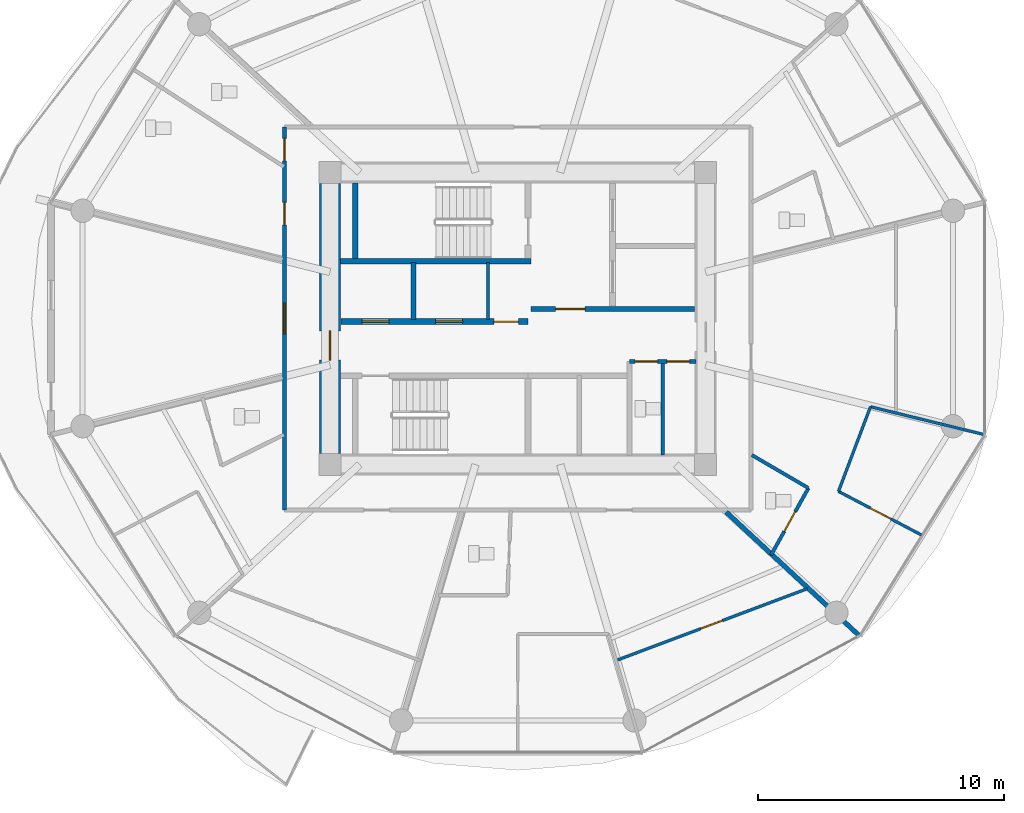
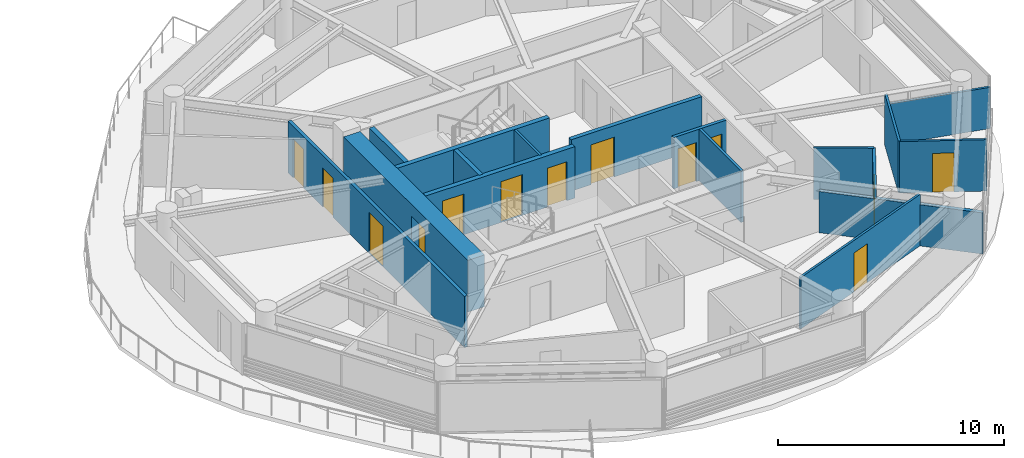
# One storey, part 19 of 26: 17 walls, 13 doors, 13 openings.
"""IFC4 building model written with IfcOpenShell, lengths in metres."""

from ifc_helpers import new_model, si_unit, direction, frame, frame_2d, origin, place, context, subcontext, project, spatial, rectangle, extrude, source, transform, mapped, material, layer, layer_set, type_object, type_shapes, element, fill, save


model = new_model("IFC4")

# Units and contexts
model_context = context("Model", 3, precision=1e-05, world=origin(), true_north=direction((0.0, 1.0)))
body_context = subcontext(model_context, "Body", "Model", "MODEL_VIEW")
ifc_project = project(units=[si_unit("LENGTHUNIT", "METRE"), si_unit("AREAUNIT", "SQUARE_METRE"), si_unit("VOLUMEUNIT", "CUBIC_METRE"), si_unit("PLANEANGLEUNIT", "RADIAN"), si_unit("MASSUNIT", "GRAM", prefix="KILO")], contexts=[model_context])

# Site, building, storey
site_placement = place(None, origin())
site = spatial("IfcSite", under=ifc_project, at=site_placement, CompositionType="ELEMENT")
building_placement = place(site_placement, origin())
building = spatial("IfcBuilding", under=site, at=building_placement, Name="Norrkilde Senior Care Towers", CompositionType="ELEMENT")
storey_placement = place(building_placement, frame((0.0, 0.0, 67.35009765625)))
storey = spatial("IfcBuildingStorey", under=building, at=storey_placement, Name="L20", CompositionType="ELEMENT", Elevation=67.35009765625)

# Wall, opening, door
ifc_material_1 = material(Name="Concrete C60/75", Category="concrete")
ifc_layer_1 = layer(ifc_material_1, 0.85009765625)
ifc_layer_set_1 = layer_set([ifc_layer_1], Name="Concrete C60/75")
wall_type_1 = type_object("IfcWallType", Name="Core Shear Wall Z1 850", PredefinedType="SHEAR", material=ifc_layer_set_1)
shared_shape_1 = source(origin(), body_context, "Body", "SweptSolid", [
    extrude(rectangle(XDim=11.0, YDim=0.85009765625, at=frame_2d((5.5, 0.0))), origin(), (0.0, 0.0, 1.0), 2.789794921875),
])
type_shapes(wall_type_1, [shared_shape_1])
wall_1_placement = place(storey_placement, frame((20.35009765625, -5.5, 0.0), z_axis=(0.0, 0.0, 1.0), x_axis=(0.0, 1.0, 0.0)))
wall_1 = element("IfcWall", 1, at=wall_1_placement, inside=storey, type_object=wall_type_1, Name="L20 Core E West Shear Wall", PredefinedType="SHEAR", context=body_context, shape_type="MappedRepresentation", body=[
    mapped(shared_shape_1, transform((0.0, 0.0, 0.0), x_axis=(1.0, 0.0, 0.0), y_axis=(0.0, 1.0, 0.0), z_axis=(0.0, 0.0, 1.0), scale=1.0)),
])
opening_1_placement = place(wall_1_placement, frame((3.800048828125, 0.0, 0.0)))
opening_1 = element("IfcOpeningElement", 2, at=opening_1_placement, cuts=wall_1, Name="Opening D-04", PredefinedType="OPENING", context=body_context, shape_type="SweptSolid", body=[
    extrude(rectangle(XDim=1.199951171875, YDim=2.14990234375, at=frame_2d((0.60009765625, 1.074951171875))), frame((0.0, 0.43505859375, 0.0), z_axis=(0.0, -1.0, 0.0), x_axis=(1.0, 0.0, 0.0)), (0.0, 0.0, 1.0), 0.8701171875),
])
ifc_material_2 = material(Name="Galvanised Painted Steel", Category="steel")
door_type_1 = type_object("IfcDoorType", Name="Firefighting Lobby Fire Door 1200x2150", OperationType="NOTDEFINED", PredefinedType="DOOR", material=ifc_material_2)
shared_shape_2 = source(origin(), body_context, "Body", "SweptSolid", [
    extrude(rectangle(XDim=1.199951171875, YDim=2.14990234375, at=frame_2d((0.60009765625, 1.074951171875))), frame((0.0, 0.02490234375, 0.0), z_axis=(0.0, -1.0, 0.0), x_axis=(1.0, 0.0, 0.0)), (0.0, 0.0, 1.0), 0.050048828125),
])
type_shapes(door_type_1, [shared_shape_2])
door_1_placement = place(opening_1_placement, frame((1.199951171875, 0.0, 0.0), z_axis=(0.0, 0.0, 1.0), x_axis=(-1.0, 0.0, 0.0)))
door_1 = element("IfcDoor", 3, at=door_1_placement, inside=storey, type_object=door_type_1, Name="L20 Core E West Portal Door", OperationType="SINGLE_SWING_LEFT", OverallHeight=2.14990234375, OverallWidth=1.199951171875, PredefinedType="DOOR", context=body_context, shape_type="MappedRepresentation", body=[
    mapped(shared_shape_2, transform((0.0, 0.0, 0.0), x_axis=(1.0, 0.0, 0.0), y_axis=(0.0, 1.0, 0.0), z_axis=(0.0, 0.0, 1.0), scale=1.0)),
])
fill(opening_1, door_1)

# Walls
ifc_material_3 = material(Name="Concrete C45/55", Category="concrete")
ifc_layer_2 = layer(ifc_material_3, 0.239990234375)
ifc_layer_set_2 = layer_set([ifc_layer_2], Name="Concrete C45/55")
wall_type_2 = type_object("IfcWallType", Name="Shaft and Stair Enclosure Wall 240", PredefinedType="PARTITIONING", material=ifc_layer_set_2)
shared_shape_3 = source(origin(), body_context, "Body", "SweptSolid", [
    extrude(rectangle(XDim=7.76513671875, YDim=0.239990234375, at=frame_2d((3.882568359375, 0.0))), origin(), (0.0, 0.0, 1.0), 2.789794921875),
])
wall_2_placement = place(storey_placement, frame((20.77490234375, 2.330078125, 0.0), z_axis=(0.0, 0.0, 1.0), x_axis=(1.0, 0.0, 0.0)))
element("IfcWall", 4, at=wall_2_placement, inside=storey, type_object=wall_type_2, Name="WL-INT-L20-E-ST1S", PredefinedType="PARTITIONING", context=body_context, shape_type="MappedRepresentation", body=[
    mapped(shared_shape_3, transform((0.0, 0.0, 0.0), x_axis=(1.0, 0.0, 0.0), y_axis=(0.0, 1.0, 0.0), z_axis=(0.0, 0.0, 1.0), scale=1.0)),
])
shared_shape_4 = source(origin(), body_context, "Body", "SweptSolid", [
    extrude(rectangle(XDim=3.074951171875, YDim=0.239990234375, at=frame_2d((1.53759765625, 0.0))), origin(), (0.0, 0.0, 1.0), 2.789794921875),
])
type_shapes(wall_type_2, [shared_shape_3, shared_shape_4])
wall_3_placement = place(storey_placement, frame((21.3798828125, 2.449951171875, 0.0), z_axis=(0.0, 0.0, 1.0), x_axis=(0.0, 1.0, 0.0)))
element("IfcWall", 5, at=wall_3_placement, inside=storey, type_object=wall_type_2, Name="WL-INT-L20-E-ST1W", PredefinedType="PARTITIONING", context=body_context, shape_type="MappedRepresentation", body=[
    mapped(shared_shape_4, transform((0.0, 0.0, 0.0), x_axis=(1.0, 0.0, 0.0), y_axis=(0.0, 1.0, 0.0), z_axis=(0.0, 0.0, 1.0), scale=1.0)),
])

# Wall, opening, door
ifc_layer_3 = layer(ifc_material_3, 0.2099609375)
ifc_layer_set_3 = layer_set([ifc_layer_3], Name="Concrete C45/55")
wall_type_3 = type_object("IfcWallType", Name="Firefighting Lobby Wall 210", PredefinedType="PARTITIONING", material=ifc_layer_set_3)
shared_shape_5 = source(origin(), body_context, "Body", "SweptSolid", [
    extrude(rectangle(XDim=6.659912109375, YDim=0.2099609375, at=frame_2d((3.330078125, 0.0))), origin(), (0.0, 0.0, 1.0), 2.77490234375),
])
type_shapes(wall_type_3, [shared_shape_5])
wall_4_placement = place(storey_placement, frame((28.5400390625, 0.389892578125, 0.0), z_axis=(0.0, 0.0, 1.0), x_axis=(1.0, 0.0, 0.0)))
wall_4 = element("IfcWall", 6, at=wall_4_placement, inside=storey, type_object=wall_type_3, Name="WL-INT-L20-E-FFLS", PredefinedType="PARTITIONING", context=body_context, shape_type="MappedRepresentation", body=[
    mapped(shared_shape_5, transform((0.0, 0.0, 0.0), x_axis=(1.0, 0.0, 0.0), y_axis=(0.0, 1.0, 0.0), z_axis=(0.0, 0.0, 1.0), scale=1.0)),
])
opening_2_placement = place(wall_4_placement, frame((1.0, 0.0, 0.0)))
opening_2 = element("IfcOpeningElement", 7, at=opening_2_placement, cuts=wall_4, Name="Opening D-04", PredefinedType="OPENING", context=body_context, shape_type="SweptSolid", body=[
    extrude(rectangle(XDim=1.199951171875, YDim=2.14990234375, at=frame_2d((0.60009765625, 1.074951171875))), frame((0.0, 0.114990234375, 0.0), z_axis=(0.0, -1.0, 0.0), x_axis=(1.0, 0.0, 0.0)), (0.0, 0.0, 1.0), 0.22998046875),
])
door_2_placement = place(opening_2_placement, frame((1.199951171875, 0.0, 0.0), z_axis=(0.0, 0.0, 1.0), x_axis=(-1.0, 0.0, 0.0)))
door_2 = element("IfcDoor", 8, at=door_2_placement, inside=storey, type_object=door_type_1, Name="L20 Firefighting Lobby E Door", OperationType="SINGLE_SWING_LEFT", OverallHeight=2.14990234375, OverallWidth=1.199951171875, PredefinedType="DOOR", context=body_context, shape_type="MappedRepresentation", body=[
    mapped(shared_shape_2, transform((0.0, 0.0, 0.0), x_axis=(1.0, 0.0, 0.0), y_axis=(0.0, 1.0, 0.0), z_axis=(0.0, 0.0, 1.0), scale=1.0)),
])
fill(opening_2, door_2)

# Wall, openings, doors
ifc_layer_4 = layer(ifc_material_3, 0.239990234375)
ifc_layer_set_4 = layer_set([ifc_layer_4], Name="Concrete C45/55")
wall_type_4 = type_object("IfcWallType", Name="Lift and Plant Rated Enclosure Partition 240", PredefinedType="PARTITIONING", material=ifc_layer_set_4)
shared_shape_6 = source(origin(), body_context, "Body", "SweptSolid", [
    extrude(rectangle(XDim=7.619873046875, YDim=0.239990234375, at=frame_2d((3.81005859375, 0.0))), origin(), (0.0, 0.0, 1.0), 2.77490234375),
])
type_shapes(wall_type_4, [shared_shape_6])
wall_5_placement = place(storey_placement, frame((20.800048828125, -0.1298828125, 0.0), z_axis=(0.0, 0.0, 1.0), x_axis=(1.0, 0.0, 0.0)))
wall_5 = element("IfcWall", 9, at=wall_5_placement, inside=storey, type_object=wall_type_4, Name="WL-INT-L20-E-PKAS", PredefinedType="PARTITIONING", context=body_context, shape_type="MappedRepresentation", body=[
    mapped(shared_shape_6, transform((0.0, 0.0, 0.0), x_axis=(1.0, 0.0, 0.0), y_axis=(0.0, 1.0, 0.0), z_axis=(0.0, 0.0, 1.0), scale=1.0)),
])
opening_3_placement = place(wall_5_placement, frame((6.219970703125, 0.0, 0.0)))
opening_3 = element("IfcOpeningElement", 10, at=opening_3_placement, cuts=wall_5, Name="Opening D-10", PredefinedType="OPENING", context=body_context, shape_type="SweptSolid", body=[
    extrude(rectangle(XDim=1.0, YDim=2.10009765625, at=frame_2d((0.5, 1.050048828125))), frame((0.0, 0.1298828125, 0.0), z_axis=(0.0, -1.0, 0.0), x_axis=(1.0, 0.0, 0.0)), (0.0, 0.0, 1.0), 0.260009765625),
])
opening_4_placement = place(wall_5_placement, frame((0.85009765625, 0.0, 0.0)))
opening_4 = element("IfcOpeningElement", 11, at=opening_4_placement, cuts=wall_5, Name="Opening LD-01", PredefinedType="OPENING", context=body_context, shape_type="SweptSolid", body=[
    extrude(rectangle(XDim=1.10009765625, YDim=2.199951171875, at=frame_2d((0.550048828125, 1.10009765625))), frame((0.0, 0.1298828125, 0.0), z_axis=(0.0, -1.0, 0.0), x_axis=(1.0, 0.0, 0.0)), (0.0, 0.0, 1.0), 0.260009765625),
])
opening_5_placement = place(wall_5_placement, frame((3.85009765625, 0.0, 0.0)))
opening_5 = element("IfcOpeningElement", 12, at=opening_5_placement, cuts=wall_5, Name="Opening LD-01", PredefinedType="OPENING", context=body_context, shape_type="SweptSolid", body=[
    extrude(rectangle(XDim=1.10009765625, YDim=2.199951171875, at=frame_2d((0.550048828125, 1.10009765625))), frame((0.0, 0.1298828125, 0.0), z_axis=(0.0, -1.0, 0.0), x_axis=(1.0, 0.0, 0.0)), (0.0, 0.0, 1.0), 0.260009765625),
])
door_type_2 = type_object("IfcDoorType", Name="Plant and Riser Rated Door 1000x2100", OperationType="NOTDEFINED", PredefinedType="DOOR", material=ifc_material_2)
shared_shape_7 = source(origin(), body_context, "Body", "SweptSolid", [
    extrude(rectangle(XDim=1.0, YDim=2.10009765625, at=frame_2d((0.5, 1.050048828125))), frame((0.0, 0.02490234375, 0.0), z_axis=(0.0, -1.0, 0.0), x_axis=(1.0, 0.0, 0.0)), (0.0, 0.0, 1.0), 0.050048828125),
])
type_shapes(door_type_2, [shared_shape_7])
door_3_placement = place(opening_3_placement, frame((1.0, 0.0, 0.0), z_axis=(0.0, 0.0, 1.0), x_axis=(-1.0, 0.0, 0.0)))
door_3 = element("IfcDoor", 13, at=door_3_placement, inside=storey, type_object=door_type_2, Name="L20 Electrical Riser E Door", OperationType="SINGLE_SWING_LEFT", OverallHeight=2.10009765625, OverallWidth=1.0, PredefinedType="DOOR", context=body_context, shape_type="MappedRepresentation", body=[
    mapped(shared_shape_7, transform((0.0, 0.0, 0.0), x_axis=(1.0, 0.0, 0.0), y_axis=(0.0, 1.0, 0.0), z_axis=(0.0, 0.0, 1.0), scale=1.0)),
])
fill(opening_3, door_3)
ifc_material_4 = material(Name="Stainless Steel", Category="steel")
door_type_3 = type_object("IfcDoorType", Name="Lift Landing Sliding Door 1100x2200", OperationType="NOTDEFINED", PredefinedType="DOOR", material=ifc_material_4)
shared_shape_8 = source(origin(), body_context, "Body", "SweptSolid", [
    extrude(rectangle(XDim=1.10009765625, YDim=2.199951171875, at=frame_2d((0.550048828125, 1.10009765625))), frame((0.0, 0.02490234375, 0.0), z_axis=(0.0, -1.0, 0.0), x_axis=(1.0, 0.0, 0.0)), (0.0, 0.0, 1.0), 0.050048828125),
])
type_shapes(door_type_3, [shared_shape_8])
door_4_placement = place(opening_4_placement, origin())
door_4 = element("IfcDoor", 14, at=door_4_placement, inside=storey, type_object=door_type_3, Name="L20 Passenger Lift E1 Landing Door", OperationType="SLIDING_TO_LEFT", OverallHeight=2.199951171875, OverallWidth=1.10009765625, PredefinedType="DOOR", context=body_context, shape_type="MappedRepresentation", body=[
    mapped(shared_shape_8, transform((0.0, 0.0, 0.0), x_axis=(1.0, 0.0, 0.0), y_axis=(0.0, 1.0, 0.0), z_axis=(0.0, 0.0, 1.0), scale=1.0)),
])
fill(opening_4, door_4)
door_5_placement = place(opening_5_placement, origin())
door_5 = element("IfcDoor", 15, at=door_5_placement, inside=storey, type_object=door_type_3, Name="L20 Passenger Lift E2 Landing Door", OperationType="SLIDING_TO_RIGHT", OverallHeight=2.199951171875, OverallWidth=1.10009765625, PredefinedType="DOOR", context=body_context, shape_type="MappedRepresentation", body=[
    mapped(shared_shape_8, transform((0.0, 0.0, 0.0), x_axis=(1.0, 0.0, 0.0), y_axis=(0.0, 1.0, 0.0), z_axis=(0.0, 0.0, 1.0), scale=1.0)),
])
fill(opening_5, door_5)

# Walls
ifc_material_5 = material(Name="Gypsum Acoustic Board")
ifc_layer_5 = layer(ifc_material_5, 0.114990234375)
ifc_layer_set_5 = layer_set([ifc_layer_5], Name="Gypsum Acoustic Board")
wall_type_5 = type_object("IfcWallType", Name="Internal Room Partition 115", PredefinedType="PARTITIONING", material=ifc_layer_set_5)
shared_shape_9 = source(origin(), body_context, "Body", "SweptSolid", [
    extrude(rectangle(XDim=2.330078125, YDim=0.114990234375, at=frame_2d((1.1650390625, 0.0))), origin(), (0.0, 0.0, 1.0), 2.77490234375),
])
wall_6_placement = place(storey_placement, frame((26.7900390625, -0.050048828125, 0.0), z_axis=(0.0, 0.0, 1.0), x_axis=(0.0, 1.0, 0.0)))
element("IfcWall", 16, at=wall_6_placement, inside=storey, type_object=wall_type_5, Name="WL-INT-L20-E-RISW", PredefinedType="PARTITIONING", context=body_context, shape_type="MappedRepresentation", body=[
    mapped(shared_shape_9, transform((0.0, 0.0, 0.0), x_axis=(1.0, 0.0, 0.0), y_axis=(0.0, 1.0, 0.0), z_axis=(0.0, 0.0, 1.0), scale=1.0)),
])
ifc_layer_6 = layer(ifc_material_3, 0.199951171875)
ifc_layer_set_6 = layer_set([ifc_layer_6], Name="Concrete C45/55")
wall_type_6 = type_object("IfcWallType", Name="Shaft Division and Plant Partition 200", PredefinedType="PARTITIONING", material=ifc_layer_set_6)
shared_shape_10 = source(origin(), body_context, "Body", "SweptSolid", [
    extrude(rectangle(XDim=2.330078125, YDim=0.199951171875, at=frame_2d((1.1650390625, 0.0))), origin(), (0.0, 0.0, 1.0), 2.77490234375),
])
type_shapes(wall_type_6, [shared_shape_10])
wall_7_placement = place(storey_placement, frame((23.75, -0.050048828125, 0.0), z_axis=(0.0, 0.0, 1.0), x_axis=(0.0, 1.0, 0.0)))
element("IfcWall", 17, at=wall_7_placement, inside=storey, type_object=wall_type_6, Name="WL-INT-L20-E-PL12", PredefinedType="PARTITIONING", context=body_context, shape_type="MappedRepresentation", body=[
    mapped(shared_shape_10, transform((0.0, 0.0, 0.0), x_axis=(1.0, 0.0, 0.0), y_axis=(0.0, 1.0, 0.0), z_axis=(0.0, 0.0, 1.0), scale=1.0)),
])

# Wall, openings, doors
ifc_layer_7 = layer(ifc_material_5, 0.1650390625)
ifc_layer_set_7 = layer_set([ifc_layer_7], Name="Gypsum Acoustic Board")
wall_type_7 = type_object("IfcWallType", Name="Corridor Rated Partition 165", PredefinedType="PARTITIONING", material=ifc_layer_set_7)
shared_shape_11 = source(origin(), body_context, "Body", "SweptSolid", [
    extrude(rectangle(XDim=2.699951171875, YDim=0.1650390625, at=frame_2d((1.35009765625, 0.0))), origin(), (0.0, 0.0, 1.0), 2.77490234375),
])
wall_8_placement = place(storey_placement, frame((32.550048828125, -1.75, 0.0), z_axis=(0.0, 0.0, 1.0), x_axis=(1.0, 0.0, 0.0)))
wall_8 = element("IfcWall", 18, at=wall_8_placement, inside=storey, type_object=wall_type_7, Name="WL-INT-L20-E-CSN", PredefinedType="PARTITIONING", context=body_context, shape_type="MappedRepresentation", body=[
    mapped(shared_shape_11, transform((0.0, 0.0, 0.0), x_axis=(1.0, 0.0, 0.0), y_axis=(0.0, 1.0, 0.0), z_axis=(0.0, 0.0, 1.0), scale=1.0)),
])
opening_6_placement = place(wall_8_placement, frame((0.222412109375, 0.0, 0.0)))
opening_6 = element("IfcOpeningElement", 19, at=opening_6_placement, cuts=wall_8, Name="Opening D-12", PredefinedType="OPENING", context=body_context, shape_type="SweptSolid", body=[
    extrude(rectangle(XDim=0.925048828125, YDim=2.10009765625, at=frame_2d((0.46240234375, 1.050048828125))), frame((0.0, 0.092529296875, 0.0), z_axis=(0.0, -1.0, 0.0), x_axis=(1.0, 0.0, 0.0)), (0.0, 0.0, 1.0), 0.18505859375),
])
opening_7_placement = place(wall_8_placement, frame((1.5224609375, 0.0, 0.0)))
opening_7 = element("IfcOpeningElement", 20, at=opening_7_placement, cuts=wall_8, Name="Opening D-12", PredefinedType="OPENING", context=body_context, shape_type="SweptSolid", body=[
    extrude(rectangle(XDim=0.925048828125, YDim=2.10009765625, at=frame_2d((0.46240234375, 1.050048828125))), frame((0.0, 0.092529296875, 0.0), z_axis=(0.0, -1.0, 0.0), x_axis=(1.0, 0.0, 0.0)), (0.0, 0.0, 1.0), 0.18505859375),
])
door_type_4 = type_object("IfcDoorType", Name="Core Wet Room Rated Door 925x2100", OperationType="NOTDEFINED", PredefinedType="DOOR", material=ifc_material_2)
shared_shape_12 = source(origin(), body_context, "Body", "SweptSolid", [
    extrude(rectangle(XDim=0.925048828125, YDim=2.10009765625, at=frame_2d((0.46240234375, 1.050048828125))), frame((0.0, 0.02490234375, 0.0), z_axis=(0.0, -1.0, 0.0), x_axis=(1.0, 0.0, 0.0)), (0.0, 0.0, 1.0), 0.050048828125),
])
type_shapes(door_type_4, [shared_shape_12])
door_6_placement = place(opening_6_placement, origin())
door_6 = element("IfcDoor", 21, at=door_6_placement, inside=storey, type_object=door_type_4, Name="L20 Staff Accessible WC E Door", OperationType="SINGLE_SWING_LEFT", OverallHeight=2.10009765625, OverallWidth=0.925048828125, PredefinedType="DOOR", context=body_context, shape_type="MappedRepresentation", body=[
    mapped(shared_shape_12, transform((0.0, 0.0, 0.0), x_axis=(1.0, 0.0, 0.0), y_axis=(0.0, 1.0, 0.0), z_axis=(0.0, 0.0, 1.0), scale=1.0)),
])
fill(opening_6, door_6)
door_7_placement = place(opening_7_placement, origin())
door_7 = element("IfcDoor", 22, at=door_7_placement, inside=storey, type_object=door_type_4, Name="L20 Housekeeping Store E Door", OperationType="SINGLE_SWING_RIGHT", OverallHeight=2.10009765625, OverallWidth=0.925048828125, PredefinedType="DOOR", context=body_context, shape_type="MappedRepresentation", body=[
    mapped(shared_shape_12, transform((0.0, 0.0, 0.0), x_axis=(1.0, 0.0, 0.0), y_axis=(0.0, 1.0, 0.0), z_axis=(0.0, 0.0, 1.0), scale=1.0)),
])
fill(opening_7, door_7)

shared_shape_13 = source(origin(), body_context, "Body", "SweptSolid", [
    extrude(rectangle(XDim=15.60009765625, YDim=0.1650390625, at=frame_2d((7.800048828125, 0.0))), origin(), (0.0, 0.0, 1.0), 2.77490234375),
])
type_shapes(wall_type_7, [shared_shape_11, shared_shape_13])
wall_9_placement = place(storey_placement, frame((18.5, -7.800048828125, 0.0), z_axis=(0.0, 0.0, 1.0), x_axis=(0.0, 1.0, 0.0)))
wall_9 = element("IfcWall", 23, at=wall_9_placement, inside=storey, type_object=wall_type_7, Name="WL-INT-L20-E-CRW-W-0", PredefinedType="PARTITIONING", context=body_context, shape_type="MappedRepresentation", body=[
    mapped(shared_shape_13, transform((0.0, 0.0, 0.0), x_axis=(1.0, 0.0, 0.0), y_axis=(0.0, 1.0, 0.0), z_axis=(0.0, 0.0, 1.0), scale=1.0)),
])
opening_8_placement = place(wall_9_placement, frame((14.214599609375, 0.0, 0.0)))
opening_8 = element("IfcOpeningElement", 24, at=opening_8_placement, cuts=wall_9, Name="Opening D-08", PredefinedType="OPENING", context=body_context, shape_type="SweptSolid", body=[
    extrude(rectangle(XDim=0.919921875, YDim=2.10009765625, at=frame_2d((0.4599609375, 1.050048828125))), frame((0.0, 0.092529296875, 0.0), z_axis=(0.0, -1.0, 0.0), x_axis=(1.0, 0.0, 0.0)), (0.0, 0.0, 1.0), 0.18505859375),
])
opening_9_placement = place(wall_9_placement, frame((11.609130859375, 0.0, 0.0)))
opening_9 = element("IfcOpeningElement", 25, at=opening_9_placement, cuts=wall_9, Name="Opening D-08", PredefinedType="OPENING", context=body_context, shape_type="SweptSolid", body=[
    extrude(rectangle(XDim=0.919921875, YDim=2.10009765625, at=frame_2d((0.4599609375, 1.050048828125))), frame((0.0, 0.092529296875, 0.0), z_axis=(0.0, -1.0, 0.0), x_axis=(1.0, 0.0, 0.0)), (0.0, 0.0, 1.0), 0.18505859375),
])
opening_10_placement = place(wall_9_placement, frame((7.175048828125, 0.0, 0.0)))
opening_10 = element("IfcOpeningElement", 26, at=opening_10_placement, cuts=wall_9, Name="Opening D-05", PredefinedType="OPENING", context=body_context, shape_type="SweptSolid", body=[
    extrude(rectangle(XDim=1.25, YDim=2.199951171875, at=frame_2d((0.625, 1.10009765625))), frame((0.0, 0.092529296875, 0.0), z_axis=(0.0, -1.0, 0.0), x_axis=(1.0, 0.0, 0.0)), (0.0, 0.0, 1.0), 0.18505859375),
])
ifc_material_6 = material(Name="Nordic Ash Timber", Category="wood")
door_type_5 = type_object("IfcDoorType", Name="Care Bedroom Bariatric Door 1250x2200", OperationType="NOTDEFINED", PredefinedType="DOOR", material=ifc_material_6)
shared_shape_14 = source(origin(), body_context, "Body", "SweptSolid", [
    extrude(rectangle(XDim=1.25, YDim=2.199951171875, at=frame_2d((0.625, 1.10009765625))), frame((0.0, 0.02490234375, 0.0), z_axis=(0.0, -1.0, 0.0), x_axis=(1.0, 0.0, 0.0)), (0.0, 0.0, 1.0), 0.050048828125),
])
type_shapes(door_type_5, [shared_shape_14])
door_8_placement = place(opening_10_placement, frame((1.25, 0.0, 0.0), z_axis=(0.0, 0.0, 1.0), x_axis=(-1.0, 0.0, 0.0)))
door_8 = element("IfcDoor", 27, at=door_8_placement, inside=storey, type_object=door_type_5, Name="L20 Senior Wellness Library Lounge Door", OperationType="SINGLE_SWING_RIGHT", OverallHeight=2.199951171875, OverallWidth=1.25, PredefinedType="DOOR", context=body_context, shape_type="MappedRepresentation", body=[
    mapped(shared_shape_14, transform((0.0, 0.0, 0.0), x_axis=(1.0, 0.0, 0.0), y_axis=(0.0, 1.0, 0.0), z_axis=(0.0, 0.0, 1.0), scale=1.0)),
])
fill(opening_10, door_8)
door_type_6 = type_object("IfcDoorType", Name="Accessible Wet Room Door 920x2100", OperationType="NOTDEFINED", PredefinedType="DOOR", material=ifc_material_6)
shared_shape_15 = source(origin(), body_context, "Body", "SweptSolid", [
    extrude(rectangle(XDim=0.919921875, YDim=2.10009765625, at=frame_2d((0.4599609375, 1.050048828125))), frame((0.0, 0.02490234375, 0.0), z_axis=(0.0, -1.0, 0.0), x_axis=(1.0, 0.0, 0.0)), (0.0, 0.0, 1.0), 0.050048828125),
])
type_shapes(door_type_6, [shared_shape_15])
door_9_placement = place(opening_8_placement, frame((0.919921875, 0.0, 0.0), z_axis=(0.0, 0.0, 1.0), x_axis=(-1.0, 0.0, 0.0)))
door_9 = element("IfcDoor", 28, at=door_9_placement, inside=storey, type_object=door_type_6, Name="L20 Accessible Restroom Door", OperationType="SINGLE_SWING_LEFT", OverallHeight=2.10009765625, OverallWidth=0.919921875, PredefinedType="DOOR", context=body_context, shape_type="MappedRepresentation", body=[
    mapped(shared_shape_15, transform((0.0, 0.0, 0.0), x_axis=(1.0, 0.0, 0.0), y_axis=(0.0, 1.0, 0.0), z_axis=(0.0, 0.0, 1.0), scale=1.0)),
])
fill(opening_8, door_9)
door_10_placement = place(opening_9_placement, frame((0.919921875, 0.0, 0.0), z_axis=(0.0, 0.0, 1.0), x_axis=(-1.0, 0.0, 0.0)))
door_10 = element("IfcDoor", 29, at=door_10_placement, inside=storey, type_object=door_type_6, Name="L20 Public Restroom Door", OperationType="SINGLE_SWING_RIGHT", OverallHeight=2.10009765625, OverallWidth=0.919921875, PredefinedType="DOOR", context=body_context, shape_type="MappedRepresentation", body=[
    mapped(shared_shape_15, transform((0.0, 0.0, 0.0), x_axis=(1.0, 0.0, 0.0), y_axis=(0.0, 1.0, 0.0), z_axis=(0.0, 0.0, 1.0), scale=1.0)),
])
fill(opening_9, door_10)

# Wall
ifc_layer_8 = layer(ifc_material_5, 0.18994140625)
ifc_layer_set_8 = layer_set([ifc_layer_8], Name="Gypsum Acoustic Board")
wall_type_8 = type_object("IfcWallType", Name="Unit Demising Acoustic Wall 190", PredefinedType="PARTITIONING", material=ifc_layer_set_8)
shared_shape_16 = source(origin(), body_context, "Body", "SweptSolid", [
    extrude(rectangle(XDim=7.4345703125, YDim=0.18994140625, at=frame_2d((3.71728515625, 0.0))), origin(), (0.0, 0.0, 1.0), 2.224853515625),
])
type_shapes(wall_type_8, [shared_shape_16])
wall_10_placement = place(storey_placement, frame((36.48291015625, -7.8798828125, 0.0), z_axis=(0.0, 0.0, 1.0), x_axis=(0.732651956848, -0.680603489652, 0.0)))
element("IfcWall", 30, at=wall_10_placement, inside=storey, type_object=wall_type_8, Name="WL-INT-L20-E-DEM-10-0", PredefinedType="PARTITIONING", context=body_context, shape_type="MappedRepresentation", body=[
    mapped(shared_shape_16, transform((0.0, 0.0, 0.0), x_axis=(1.0, 0.0, 0.0), y_axis=(0.0, 1.0, 0.0), z_axis=(0.0, 0.0, 1.0), scale=1.0)),
])

# Wall, opening, door
shared_shape_17 = source(origin(), body_context, "Body", "SweptSolid", [
    extrude(rectangle(XDim=8.31982421875, YDim=0.114990234375, at=frame_2d((4.159912109375, 0.0))), origin(), (0.0, 0.0, 1.0), 2.77490234375),
])
wall_11_placement = place(storey_placement, frame((31.997314453125, -13.93017578125, 0.0), z_axis=(0.0, 0.0, 1.0), x_axis=(0.936180763098, 0.351518959382, 0.0)))
wall_11 = element("IfcWall", 31, at=wall_11_placement, inside=storey, type_object=wall_type_5, Name="WL-INT-L20-E-UBC-08-1", PredefinedType="PARTITIONING", context=body_context, shape_type="MappedRepresentation", body=[
    mapped(shared_shape_17, transform((0.0, 0.0, 0.0), x_axis=(1.0, 0.0, 0.0), y_axis=(0.0, 1.0, 0.0), z_axis=(0.0, 0.0, 1.0), scale=1.0)),
])
opening_11_placement = place(wall_11_placement, frame((3.684814453125, 0.0, 0.0)))
opening_11 = element("IfcOpeningElement", 32, at=opening_11_placement, cuts=wall_11, Name="Opening D-07", PredefinedType="OPENING", context=body_context, shape_type="SweptSolid", body=[
    extrude(rectangle(XDim=0.949951171875, YDim=2.10009765625, at=frame_2d((0.47509765625, 1.050048828125))), frame((0.0, 0.0673828125, 0.0), z_axis=(0.0, -1.0, 0.0), x_axis=(1.0, 0.0, 0.0)), (0.0, 0.0, 1.0), 0.135009765625),
])
door_type_7 = type_object("IfcDoorType", Name="Internal Suite Bedroom Door 950x2100", OperationType="NOTDEFINED", PredefinedType="DOOR", material=ifc_material_6)
shared_shape_18 = source(origin(), body_context, "Body", "SweptSolid", [
    extrude(rectangle(XDim=0.949951171875, YDim=2.10009765625, at=frame_2d((0.47509765625, 1.050048828125))), frame((0.0, 0.02490234375, 0.0), z_axis=(0.0, -1.0, 0.0), x_axis=(1.0, 0.0, 0.0)), (0.0, 0.0, 1.0), 0.050048828125),
])
type_shapes(door_type_7, [shared_shape_18])
door_11_placement = place(opening_11_placement, origin())
door_11 = element("IfcDoor", 33, at=door_11_placement, inside=storey, type_object=door_type_7, Name="Apartment 20B Bedroom 1 Door", OperationType="SINGLE_SWING_RIGHT", OverallHeight=2.10009765625, OverallWidth=0.949951171875, PredefinedType="DOOR", context=body_context, shape_type="MappedRepresentation", body=[
    mapped(shared_shape_18, transform((0.0, 0.0, 0.0), x_axis=(1.0, 0.0, 0.0), y_axis=(0.0, 1.0, 0.0), z_axis=(0.0, 0.0, 1.0), scale=1.0)),
])
fill(opening_11, door_11)

# Walls
ifc_layer_9 = layer(ifc_material_5, 0.139892578125)
ifc_layer_set_9 = layer_set([ifc_layer_9], Name="Gypsum Acoustic Board")
wall_type_9 = type_object("IfcWallType", Name="En-suite Wet Room Wall 140", PredefinedType="PARTITIONING", material=ifc_layer_set_9)
shared_shape_19 = source(origin(), body_context, "Body", "SweptSolid", [
    extrude(rectangle(XDim=3.800048828125, YDim=0.139892578125, at=frame_2d((1.89990234375, 0.0))), origin(), (0.0, 0.0, 1.0), 2.77490234375),
])
wall_12_placement = place(storey_placement, frame((33.89990234375, -5.550048828125, 0.0), z_axis=(0.0, 0.0, 1.0), x_axis=(0.0, 1.0, 0.0)))
element("IfcWall", 34, at=wall_12_placement, inside=storey, type_object=wall_type_9, Name="WL-INT-L20-E-CS1V", PredefinedType="PARTITIONING", context=body_context, shape_type="MappedRepresentation", body=[
    mapped(shared_shape_19, transform((0.0, 0.0, 0.0), x_axis=(1.0, 0.0, 0.0), y_axis=(0.0, 1.0, 0.0), z_axis=(0.0, 0.0, 1.0), scale=1.0)),
])
shared_shape_20 = source(origin(), body_context, "Body", "SweptSolid", [
    extrude(rectangle(XDim=2.66943359375, YDim=0.139892578125, at=frame_2d((1.334716796875, 0.0))), origin(), (0.0, 0.0, 1.0), 2.77490234375),
])
wall_13_placement = place(storey_placement, frame((37.530029296875, -5.560546875, 0.0), z_axis=(0.0, 0.0, 1.0), x_axis=(0.86369928178, -0.50400749067, 0.0)))
element("IfcWall", 35, at=wall_13_placement, inside=storey, type_object=wall_type_9, Name="WL-INT-L20-E-UBTS-10", PredefinedType="PARTITIONING", context=body_context, shape_type="MappedRepresentation", body=[
    mapped(shared_shape_20, transform((0.0, 0.0, 0.0), x_axis=(1.0, 0.0, 0.0), y_axis=(0.0, 1.0, 0.0), z_axis=(0.0, 0.0, 1.0), scale=1.0)),
])

# Wall, opening, door
shared_shape_21 = source(origin(), body_context, "Body", "SweptSolid", [
    extrude(rectangle(XDim=3.121337890625, YDim=0.139892578125, at=frame_2d((1.560546875, 0.0))), origin(), (0.0, 0.0, 1.0), 2.77490234375),
])
type_shapes(wall_type_9, [shared_shape_19, shared_shape_20, shared_shape_21])
wall_14_placement = place(storey_placement, frame((39.835693359375, -6.906005859375, 0.0), z_axis=(0.0, 0.0, 1.0), x_axis=(-0.487302357327, -0.873233309342, 0.0)))
wall_14 = element("IfcWall", 36, at=wall_14_placement, inside=storey, type_object=wall_type_9, Name="WL-INT-L20-E-UBTF-10", PredefinedType="PARTITIONING", context=body_context, shape_type="MappedRepresentation", body=[
    mapped(shared_shape_21, transform((0.0, 0.0, 0.0), x_axis=(1.0, 0.0, 0.0), y_axis=(0.0, 1.0, 0.0), z_axis=(0.0, 0.0, 1.0), scale=1.0)),
])
opening_12_placement = place(wall_14_placement, frame((1.1005859375, 0.0, 0.0)))
opening_12 = element("IfcOpeningElement", 37, at=opening_12_placement, cuts=wall_14, Name="Opening D-08", PredefinedType="OPENING", context=body_context, shape_type="SweptSolid", body=[
    extrude(rectangle(XDim=0.919921875, YDim=2.10009765625, at=frame_2d((0.4599609375, 1.050048828125))), frame((0.0, 0.079833984375, 0.0), z_axis=(0.0, -1.0, 0.0), x_axis=(1.0, 0.0, 0.0)), (0.0, 0.0, 1.0), 0.159912109375),
])
door_12_placement = place(opening_12_placement, origin())
door_12 = element("IfcDoor", 38, at=door_12_placement, inside=storey, type_object=door_type_6, Name="Apartment 20C Bathroom Door", OperationType="SINGLE_SWING_RIGHT", OverallHeight=2.10009765625, OverallWidth=0.919921875, PredefinedType="DOOR", context=body_context, shape_type="MappedRepresentation", body=[
    mapped(shared_shape_15, transform((0.0, 0.0, 0.0), x_axis=(1.0, 0.0, 0.0), y_axis=(0.0, 1.0, 0.0), z_axis=(0.0, 0.0, 1.0), scale=1.0)),
])
fill(opening_12, door_12)

shared_shape_22 = source(origin(), body_context, "Body", "SweptSolid", [
    extrude(rectangle(XDim=3.863525390625, YDim=0.114990234375, at=frame_2d((1.931640625, 0.0))), origin(), (0.0, 0.0, 1.0), 2.77490234375),
])
wall_15_placement = place(storey_placement, frame((41.0595703125, -7.040771484375, 0.0), z_axis=(0.0, 0.0, 1.0), x_axis=(0.885194959803, -0.465220252289, 0.0)))
wall_15 = element("IfcWall", 39, at=wall_15_placement, inside=storey, type_object=wall_type_5, Name="WL-INT-L20-E-UKTS-10", PredefinedType="PARTITIONING", context=body_context, shape_type="MappedRepresentation", body=[
    mapped(shared_shape_22, transform((0.0, 0.0, 0.0), x_axis=(1.0, 0.0, 0.0), y_axis=(0.0, 1.0, 0.0), z_axis=(0.0, 0.0, 1.0), scale=1.0)),
])
opening_13_placement = place(wall_15_placement, frame((1.456787109375, 0.0, 0.0)))
opening_13 = element("IfcOpeningElement", 40, at=opening_13_placement, cuts=wall_15, Name="Opening D-07", PredefinedType="OPENING", context=body_context, shape_type="SweptSolid", body=[
    extrude(rectangle(XDim=0.949951171875, YDim=2.10009765625, at=frame_2d((0.47509765625, 1.050048828125))), frame((0.0, 0.0673828125, 0.0), z_axis=(0.0, -1.0, 0.0), x_axis=(1.0, 0.0, 0.0)), (0.0, 0.0, 1.0), 0.135009765625),
])
door_13_placement = place(opening_13_placement, frame((0.949951171875, 0.0, 0.0), z_axis=(0.0, 0.0, 1.0), x_axis=(-1.0, 0.0, 0.0)))
door_13 = element("IfcDoor", 41, at=door_13_placement, inside=storey, type_object=door_type_7, Name="Apartment 20C Kitchen Door", OperationType="SINGLE_SWING_LEFT", OverallHeight=2.10009765625, OverallWidth=0.949951171875, PredefinedType="DOOR", context=body_context, shape_type="MappedRepresentation", body=[
    mapped(shared_shape_18, transform((0.0, 0.0, 0.0), x_axis=(1.0, 0.0, 0.0), y_axis=(0.0, 1.0, 0.0), z_axis=(0.0, 0.0, 1.0), scale=1.0)),
])
fill(opening_13, door_13)

# Walls
shared_shape_23 = source(origin(), body_context, "Body", "SweptSolid", [
    extrude(rectangle(XDim=3.685302734375, YDim=0.114990234375, at=frame_2d((1.8427734375, 0.0))), origin(), (0.0, 0.0, 1.0), 2.77490234375),
])
wall_16_placement = place(storey_placement, frame((41.0595703125, -7.040771484375, 0.0), z_axis=(0.0, 0.0, 1.0), x_axis=(0.353503632997, 0.935433151785, 0.0)))
element("IfcWall", 42, at=wall_16_placement, inside=storey, type_object=wall_type_5, Name="WL-INT-L20-E-UKTF-10", PredefinedType="PARTITIONING", context=body_context, shape_type="MappedRepresentation", body=[
    mapped(shared_shape_23, transform((0.0, 0.0, 0.0), x_axis=(1.0, 0.0, 0.0), y_axis=(0.0, 1.0, 0.0), z_axis=(0.0, 0.0, 1.0), scale=1.0)),
])
shared_shape_24 = source(origin(), body_context, "Body", "SweptSolid", [
    extrude(rectangle(XDim=4.802978515625, YDim=0.114990234375, at=frame_2d((2.4013671875, 0.0))), origin(), (0.0, 0.0, 1.0), 2.224853515625),
])
type_shapes(wall_type_5, [shared_shape_9, shared_shape_17, shared_shape_22, shared_shape_23, shared_shape_24])
wall_17_placement = place(storey_placement, frame((42.36376953125, -3.59375, 0.0), z_axis=(0.0, 0.0, 1.0), x_axis=(0.97129155908, -0.237892217736, 0.0)))
element("IfcWall", 43, at=wall_17_placement, inside=storey, type_object=wall_type_5, Name="WL-INT-L20-E-UBR-10-1", PredefinedType="PARTITIONING", context=body_context, shape_type="MappedRepresentation", body=[
    mapped(shared_shape_24, transform((0.0, 0.0, 0.0), x_axis=(1.0, 0.0, 0.0), y_axis=(0.0, 1.0, 0.0), z_axis=(0.0, 0.0, 1.0), scale=1.0)),
])

save(model, "model.ifc")
